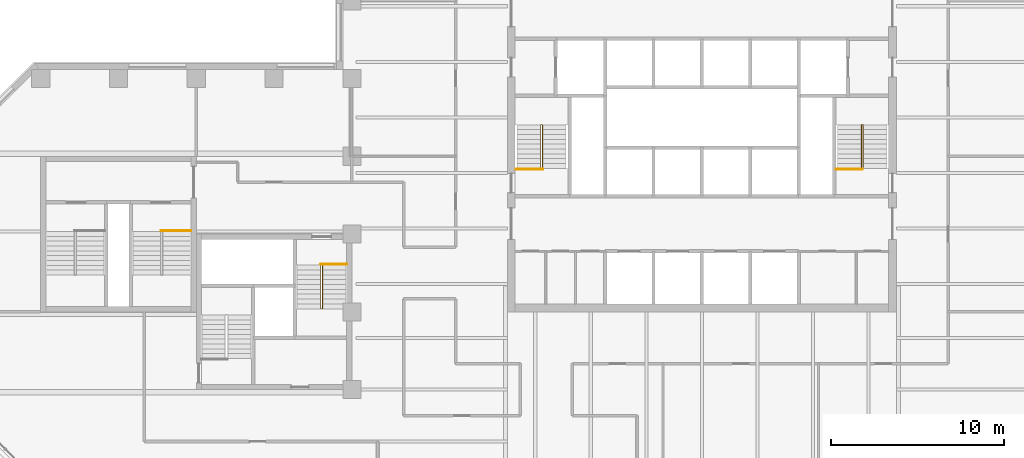
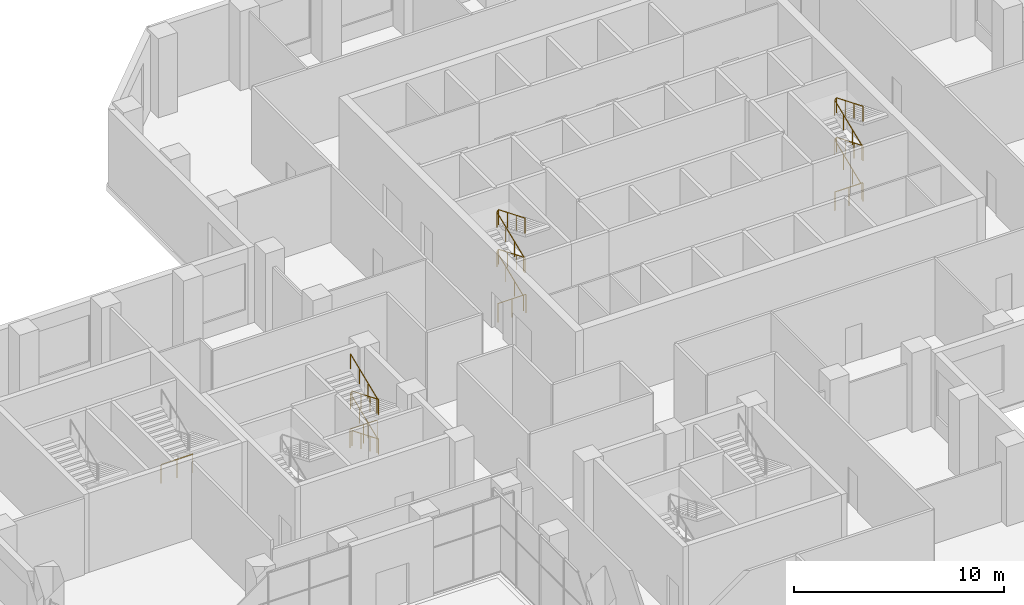
# One storey, part 14 of 14: 7 railings.
"""IFC4 building model written with IfcOpenShell, lengths in metres."""

from ifc_helpers import new_model, si_unit, direction, frame, origin, origin_2d, place, context, subcontext, project, spatial, circle, extrude, material, type_object, element, save


model = new_model("IFC4")

# Units and contexts
model_context = context("Model", 3, precision=1e-05, world=origin(), true_north=direction((0.0, 1.0)))
body_context = subcontext(model_context, "Body", "Model", "MODEL_VIEW")
ifc_project = project(units=[si_unit("LENGTHUNIT", "METRE"), si_unit("AREAUNIT", "SQUARE_METRE"), si_unit("VOLUMEUNIT", "CUBIC_METRE"), si_unit("PLANEANGLEUNIT", "RADIAN"), si_unit("MASSUNIT", "GRAM", prefix="KILO")], contexts=[model_context])

# Site, building, storey
site_placement = place(None, origin())
site = spatial("IfcSite", under=ifc_project, at=site_placement, CompositionType="ELEMENT")
building_placement = place(site_placement, origin())
building = spatial("IfcBuilding", under=site, at=building_placement, Name="Quoin Convention Tower", CompositionType="ELEMENT")
storey_placement = place(building_placement, frame((0.0, 0.0, 74.300048828125)))
storey = spatial("IfcBuildingStorey", under=building, at=storey_placement, Name="L19", CompositionType="ELEMENT", Elevation=74.300048828125)

# Railings
ifc_material = material(Name="Stainless steel", Category="steel")
railing_type_1 = type_object("IfcRailingType", Name="Stair handrail 900", PredefinedType="HANDRAIL", material=ifc_material)
railing_1_placement = place(storey_placement, frame((46.929931640625, 57.800048828125, 0.114990234375)))
element("IfcRailing", 1, at=railing_1_placement, inside=storey, type_object=railing_type_1, Name="SD1 handrail 1", PredefinedType="HANDRAIL", context=body_context, shape_type="SweptSolid", body=[
    extrude(circle(Radius=0.02392578125, at=origin_2d()), frame((0.0, 0.0, 0.8759765625), z_axis=(0.0, 0.925032190732, 0.379888728591), x_axis=(-1.0, 0.0, 0.0)), (0.0, 0.0, 1.0), 2.724365234375),
    extrude(circle(Radius=0.02392578125, at=origin_2d()), frame((0.0, 2.52001953125, 1.91064453125), z_axis=(0.616713761842, 0.0, 0.787187484628), x_axis=(0.0, 1.0, 0.0)), (0.0, 0.0, 1.0), 0.14599609375),
    extrude(circle(Radius=0.02392578125, at=origin_2d()), frame((0.090087890625, 2.52001953125, 2.02587890625), z_axis=(0.0, -0.92500069619, 0.379965409014), x_axis=(1.0, 0.0, 0.0)), (0.0, 0.0, 1.0), 2.724365234375),
    extrude(circle(Radius=0.02392578125, at=origin_2d()), frame((0.090087890625, 0.0, 3.06103515625), z_axis=(-0.616713761842, 0.0, 0.787187484628), x_axis=(0.0, -1.0, 0.0)), (0.0, 0.0, 1.0), 0.14599609375),
    extrude(circle(Radius=0.02392578125, at=origin_2d()), frame((0.0, 0.0, 3.17578125), z_axis=(0.0, 0.925032190732, 0.379888728591), x_axis=(-1.0, 0.0, 0.0)), (0.0, 0.0, 1.0), 2.724365234375),
    extrude(circle(Radius=0.02392578125, at=origin_2d()), frame((0.0, 2.52001953125, 4.2109375), z_axis=(0.616713761842, 0.0, 0.787187484628), x_axis=(0.0, 1.0, 0.0)), (0.0, 0.0, 1.0), 0.14599609375),
    extrude(circle(Radius=0.02392578125, at=origin_2d()), frame((0.090087890625, 2.52001953125, 4.32568359375), z_axis=(0.0, -0.925032190732, 0.379888728591), x_axis=(1.0, 0.0, 0.0)), (0.0, 0.0, 1.0), 2.724365234375),
    extrude(circle(Radius=0.02099609375, at=origin_2d()), origin(), (0.0, 0.0, 1.0), 0.851806640625),
    extrude(circle(Radius=0.02099609375, at=origin_2d()), frame((0.0, 0.840087890625, 0.344970703125)), (0.0, 0.0, 1.0), 0.851806640625),
    extrude(circle(Radius=0.02099609375, at=origin_2d()), frame((0.0, 1.679931640625, 0.68994140625)), (0.0, 0.0, 1.0), 0.851806640625),
    extrude(circle(Radius=0.02099609375, at=origin_2d()), frame((0.0, 2.52001953125, 1.034912109375)), (0.0, 0.0, 1.0), 0.851806640625),
    extrude(circle(Radius=0.02099609375, at=origin_2d()), frame((0.090087890625, 2.52001953125, 1.14990234375)), (0.0, 0.0, 1.0), 0.851806640625),
    extrude(circle(Radius=0.02099609375, at=origin_2d()), frame((0.090087890625, 1.679931640625, 1.494873046875)), (0.0, 0.0, 1.0), 0.851806640625),
    extrude(circle(Radius=0.02099609375, at=origin_2d()), frame((0.090087890625, 0.840087890625, 1.840087890625)), (0.0, 0.0, 1.0), 0.851806640625),
    extrude(circle(Radius=0.02099609375, at=origin_2d()), frame((0.090087890625, 0.0, 2.18505859375)), (0.0, 0.0, 1.0), 0.851806640625),
    extrude(circle(Radius=0.02099609375, at=origin_2d()), frame((0.0, 0.0, 2.300048828125)), (0.0, 0.0, 1.0), 0.851806640625),
    extrude(circle(Radius=0.02099609375, at=origin_2d()), frame((0.0, 0.840087890625, 2.64501953125)), (0.0, 0.0, 1.0), 0.851806640625),
    extrude(circle(Radius=0.02099609375, at=origin_2d()), frame((0.0, 1.679931640625, 2.989990234375)), (0.0, 0.0, 1.0), 0.851806640625),
    extrude(circle(Radius=0.02099609375, at=origin_2d()), frame((0.0, 2.52001953125, 3.3349609375)), (0.0, 0.0, 1.0), 0.851806640625),
    extrude(circle(Radius=0.02099609375, at=origin_2d()), frame((0.090087890625, 2.52001953125, 3.449951171875)), (0.0, 0.0, 1.0), 0.851806640625),
    extrude(circle(Radius=0.02099609375, at=origin_2d()), frame((0.090087890625, 1.679931640625, 3.794921875)), (0.0, 0.0, 1.0), 0.851806640625),
    extrude(circle(Radius=0.02099609375, at=origin_2d()), frame((0.090087890625, 0.840087890625, 4.139892578125)), (0.0, 0.0, 1.0), 0.851806640625),
    extrude(circle(Radius=0.02099609375, at=origin_2d()), frame((0.090087890625, 0.0, 4.48486328125)), (0.0, 0.0, 1.0), 0.851806640625),
])
railing_2_placement = place(storey_placement, frame((65.47998046875, 57.800048828125, 0.114990234375)))
element("IfcRailing", 2, at=railing_2_placement, inside=storey, type_object=railing_type_1, Name="SD2 handrail 1", PredefinedType="HANDRAIL", context=body_context, shape_type="SweptSolid", body=[
    extrude(circle(Radius=0.02392578125, at=origin_2d()), frame((0.0, 0.0, 0.8759765625), z_axis=(0.0, 0.925032190732, 0.379888728591), x_axis=(-1.0, 0.0, 0.0)), (0.0, 0.0, 1.0), 2.724365234375),
    extrude(circle(Radius=0.02392578125, at=origin_2d()), frame((0.0, 2.52001953125, 1.91064453125), z_axis=(0.616713761842, 0.0, 0.787187484628), x_axis=(0.0, 1.0, 0.0)), (0.0, 0.0, 1.0), 0.14599609375),
    extrude(circle(Radius=0.02392578125, at=origin_2d()), frame((0.090087890625, 2.52001953125, 2.02587890625), z_axis=(0.0, -0.92500069619, 0.379965409014), x_axis=(1.0, 0.0, 0.0)), (0.0, 0.0, 1.0), 2.724365234375),
    extrude(circle(Radius=0.02392578125, at=origin_2d()), frame((0.090087890625, 0.0, 3.06103515625), z_axis=(-0.616713761842, 0.0, 0.787187484628), x_axis=(0.0, -1.0, 0.0)), (0.0, 0.0, 1.0), 0.14599609375),
    extrude(circle(Radius=0.02392578125, at=origin_2d()), frame((0.0, 0.0, 3.17578125), z_axis=(0.0, 0.925032190732, 0.379888728591), x_axis=(-1.0, 0.0, 0.0)), (0.0, 0.0, 1.0), 2.724365234375),
    extrude(circle(Radius=0.02392578125, at=origin_2d()), frame((0.0, 2.52001953125, 4.2109375), z_axis=(0.616713761842, 0.0, 0.787187484628), x_axis=(0.0, 1.0, 0.0)), (0.0, 0.0, 1.0), 0.14599609375),
    extrude(circle(Radius=0.02392578125, at=origin_2d()), frame((0.090087890625, 2.52001953125, 4.32568359375), z_axis=(0.0, -0.925032190732, 0.379888728591), x_axis=(1.0, 0.0, 0.0)), (0.0, 0.0, 1.0), 2.724365234375),
    extrude(circle(Radius=0.02099609375, at=origin_2d()), origin(), (0.0, 0.0, 1.0), 0.851806640625),
    extrude(circle(Radius=0.02099609375, at=origin_2d()), frame((0.0, 0.840087890625, 0.344970703125)), (0.0, 0.0, 1.0), 0.851806640625),
    extrude(circle(Radius=0.02099609375, at=origin_2d()), frame((0.0, 1.679931640625, 0.68994140625)), (0.0, 0.0, 1.0), 0.851806640625),
    extrude(circle(Radius=0.02099609375, at=origin_2d()), frame((0.0, 2.52001953125, 1.034912109375)), (0.0, 0.0, 1.0), 0.851806640625),
    extrude(circle(Radius=0.02099609375, at=origin_2d()), frame((0.090087890625, 2.52001953125, 1.14990234375)), (0.0, 0.0, 1.0), 0.851806640625),
    extrude(circle(Radius=0.02099609375, at=origin_2d()), frame((0.090087890625, 1.679931640625, 1.494873046875)), (0.0, 0.0, 1.0), 0.851806640625),
    extrude(circle(Radius=0.02099609375, at=origin_2d()), frame((0.090087890625, 0.840087890625, 1.840087890625)), (0.0, 0.0, 1.0), 0.851806640625),
    extrude(circle(Radius=0.02099609375, at=origin_2d()), frame((0.090087890625, 0.0, 2.18505859375)), (0.0, 0.0, 1.0), 0.851806640625),
    extrude(circle(Radius=0.02099609375, at=origin_2d()), frame((0.0, 0.0, 2.300048828125)), (0.0, 0.0, 1.0), 0.851806640625),
    extrude(circle(Radius=0.02099609375, at=origin_2d()), frame((0.0, 0.840087890625, 2.64501953125)), (0.0, 0.0, 1.0), 0.851806640625),
    extrude(circle(Radius=0.02099609375, at=origin_2d()), frame((0.0, 1.679931640625, 2.989990234375)), (0.0, 0.0, 1.0), 0.851806640625),
    extrude(circle(Radius=0.02099609375, at=origin_2d()), frame((0.0, 2.52001953125, 3.3349609375)), (0.0, 0.0, 1.0), 0.851806640625),
    extrude(circle(Radius=0.02099609375, at=origin_2d()), frame((0.090087890625, 2.52001953125, 3.449951171875)), (0.0, 0.0, 1.0), 0.851806640625),
    extrude(circle(Radius=0.02099609375, at=origin_2d()), frame((0.090087890625, 1.679931640625, 3.794921875)), (0.0, 0.0, 1.0), 0.851806640625),
    extrude(circle(Radius=0.02099609375, at=origin_2d()), frame((0.090087890625, 0.840087890625, 4.139892578125)), (0.0, 0.0, 1.0), 0.851806640625),
    extrude(circle(Radius=0.02099609375, at=origin_2d()), frame((0.090087890625, 0.0, 4.48486328125)), (0.0, 0.0, 1.0), 0.851806640625),
])
railing_3_placement = place(storey_placement, frame((34.294921875, 52.199951171875, 0.114990234375)))
element("IfcRailing", 3, at=railing_3_placement, inside=storey, type_object=railing_type_1, Name="SD4 handrail 1", PredefinedType="HANDRAIL", context=body_context, shape_type="SweptSolid", body=[
    extrude(circle(Radius=0.02392578125, at=origin_2d()), frame((0.0, 0.0, 0.8759765625), z_axis=(0.0, -0.925032190732, 0.379888728591), x_axis=(1.0, 0.0, 0.0)), (0.0, 0.0, 1.0), 2.724365234375),
    extrude(circle(Radius=0.02392578125, at=origin_2d()), frame((0.0, -2.52001953125, 1.91064453125), z_axis=(-0.615676507846, 0.0, 0.787999008684), x_axis=(0.0, -1.0, 0.0)), (0.0, 0.0, 1.0), 0.14599609375),
    extrude(circle(Radius=0.02392578125, at=origin_2d()), frame((-0.08984375, -2.52001953125, 2.02587890625), z_axis=(0.0, 0.92500069619, 0.379965409014), x_axis=(-1.0, 0.0, 0.0)), (0.0, 0.0, 1.0), 2.724365234375),
    extrude(circle(Radius=0.02392578125, at=origin_2d()), frame((-0.08984375, 0.0, 3.06103515625), z_axis=(0.615676507846, 0.0, 0.787999008684), x_axis=(0.0, 1.0, 0.0)), (0.0, 0.0, 1.0), 0.14599609375),
    extrude(circle(Radius=0.02392578125, at=origin_2d()), frame((0.0, 0.0, 3.17578125), z_axis=(0.0, -0.925032190732, 0.379888728591), x_axis=(1.0, 0.0, 0.0)), (0.0, 0.0, 1.0), 2.724365234375),
    extrude(circle(Radius=0.02392578125, at=origin_2d()), frame((0.0, -2.52001953125, 4.2109375), z_axis=(-0.615676507846, 0.0, 0.787999008684), x_axis=(0.0, -1.0, 0.0)), (0.0, 0.0, 1.0), 0.14599609375),
    extrude(circle(Radius=0.02392578125, at=origin_2d()), frame((-0.08984375, -2.52001953125, 4.32568359375), z_axis=(0.0, 0.925032190732, 0.379888728591), x_axis=(-1.0, 0.0, 0.0)), (0.0, 0.0, 1.0), 2.724365234375),
    extrude(circle(Radius=0.02099609375, at=origin_2d()), origin(), (0.0, 0.0, 1.0), 0.851806640625),
    extrude(circle(Radius=0.02099609375, at=origin_2d()), frame((0.0, -0.840087890625, 0.344970703125)), (0.0, 0.0, 1.0), 0.851806640625),
    extrude(circle(Radius=0.02099609375, at=origin_2d()), frame((0.0, -1.679931640625, 0.68994140625)), (0.0, 0.0, 1.0), 0.851806640625),
    extrude(circle(Radius=0.02099609375, at=origin_2d()), frame((0.0, -2.52001953125, 1.034912109375)), (0.0, 0.0, 1.0), 0.851806640625),
    extrude(circle(Radius=0.02099609375, at=origin_2d()), frame((-0.08984375, -2.52001953125, 1.14990234375)), (0.0, 0.0, 1.0), 0.851806640625),
    extrude(circle(Radius=0.02099609375, at=origin_2d()), frame((-0.08984375, -1.679931640625, 1.494873046875)), (0.0, 0.0, 1.0), 0.851806640625),
    extrude(circle(Radius=0.02099609375, at=origin_2d()), frame((-0.08984375, -0.840087890625, 1.840087890625)), (0.0, 0.0, 1.0), 0.851806640625),
    extrude(circle(Radius=0.02099609375, at=origin_2d()), frame((-0.08984375, 0.0, 2.18505859375)), (0.0, 0.0, 1.0), 0.851806640625),
    extrude(circle(Radius=0.02099609375, at=origin_2d()), frame((0.0, 0.0, 2.300048828125)), (0.0, 0.0, 1.0), 0.851806640625),
    extrude(circle(Radius=0.02099609375, at=origin_2d()), frame((0.0, -0.840087890625, 2.64501953125)), (0.0, 0.0, 1.0), 0.851806640625),
    extrude(circle(Radius=0.02099609375, at=origin_2d()), frame((0.0, -1.679931640625, 2.989990234375)), (0.0, 0.0, 1.0), 0.851806640625),
    extrude(circle(Radius=0.02099609375, at=origin_2d()), frame((0.0, -2.52001953125, 3.3349609375)), (0.0, 0.0, 1.0), 0.851806640625),
    extrude(circle(Radius=0.02099609375, at=origin_2d()), frame((-0.08984375, -2.52001953125, 3.449951171875)), (0.0, 0.0, 1.0), 0.851806640625),
    extrude(circle(Radius=0.02099609375, at=origin_2d()), frame((-0.08984375, -1.679931640625, 3.794921875)), (0.0, 0.0, 1.0), 0.851806640625),
    extrude(circle(Radius=0.02099609375, at=origin_2d()), frame((-0.08984375, -0.840087890625, 4.139892578125)), (0.0, 0.0, 1.0), 0.851806640625),
    extrude(circle(Radius=0.02099609375, at=origin_2d()), frame((-0.08984375, 0.0, 4.48486328125)), (0.0, 0.0, 1.0), 0.851806640625),
])
railing_type_2 = type_object("IfcRailingType", Name="Stair top guard 1100", PredefinedType="GUARDRAIL", material=ifc_material)
for number, where, name in (
    (4, (45.5, 57.75, 0.0), "SD1 top guard"),
    (5, (64.0, 57.75, 0.0), "SD2 top guard"),
):
    element("IfcRailing", number, at=place(storey_placement, frame(where)), inside=storey, type_object=railing_type_2, Name=name, PredefinedType="GUARDRAIL", context=body_context, shape_type="SweptSolid", body=[
        extrude(circle(Radius=0.02392578125, at=origin_2d()), frame((0.0, 0.0, 1.076171875), z_axis=(1.0, 0.0, 0.0), x_axis=(0.0, 1.0, 0.0)), (0.0, 0.0, 1.0), 1.544921875),
        extrude(circle(Radius=0.02099609375, at=origin_2d()), origin(), (0.0, 0.0, 1.0), 1.052001953125),
        extrude(circle(Radius=0.02099609375, at=origin_2d()), frame((0.7724609375, 0.0, 0.0)), (0.0, 0.0, 1.0), 1.052001953125),
        extrude(circle(Radius=0.02099609375, at=origin_2d()), frame((1.544921875, 0.0, 0.0)), (0.0, 0.0, 1.0), 1.052001953125),
    ])
railing_4_placement = place(storey_placement, frame((35.699951171875, 52.25, 0.0)))
element("IfcRailing", 6, at=railing_4_placement, inside=storey, type_object=railing_type_2, Name="SD4 top guard", PredefinedType="GUARDRAIL", context=body_context, shape_type="SweptSolid", body=[
    extrude(circle(Radius=0.02392578125, at=origin_2d()), frame((0.0, 0.0, 1.076171875), z_axis=(-1.0, 0.0, 0.0), x_axis=(0.0, -1.0, 0.0)), (0.0, 0.0, 1.0), 1.494873046875),
    extrude(circle(Radius=0.02099609375, at=origin_2d()), origin(), (0.0, 0.0, 1.0), 1.052001953125),
    extrude(circle(Radius=0.02099609375, at=origin_2d()), frame((-0.74755859375, 0.0, 0.0)), (0.0, 0.0, 1.0), 1.052001953125),
    extrude(circle(Radius=0.02099609375, at=origin_2d()), frame((-1.494873046875, 0.0, 0.0)), (0.0, 0.0, 1.0), 1.052001953125),
])
railing_5_placement = place(storey_placement, frame((26.699951171875, 54.199951171875, 0.0)))
element("IfcRailing", 7, at=railing_5_placement, inside=storey, type_object=railing_type_2, Name="SD12 top guard", PredefinedType="GUARDRAIL", context=body_context, shape_type="SweptSolid", body=[
    extrude(circle(Radius=0.02392578125, at=origin_2d()), frame((0.0, 0.0, 1.076171875), z_axis=(-1.0, 0.0, 0.0), x_axis=(0.0, -1.0, 0.0)), (0.0, 0.0, 1.0), 1.744873046875),
    extrude(circle(Radius=0.02099609375, at=origin_2d()), origin(), (0.0, 0.0, 1.0), 1.052001953125),
    extrude(circle(Radius=0.02099609375, at=origin_2d()), frame((-0.87255859375, 0.0, 0.0)), (0.0, 0.0, 1.0), 1.052001953125),
    extrude(circle(Radius=0.02099609375, at=origin_2d()), frame((-1.744873046875, 0.0, 0.0)), (0.0, 0.0, 1.0), 1.052001953125),
])

save(model, "model.ifc")
